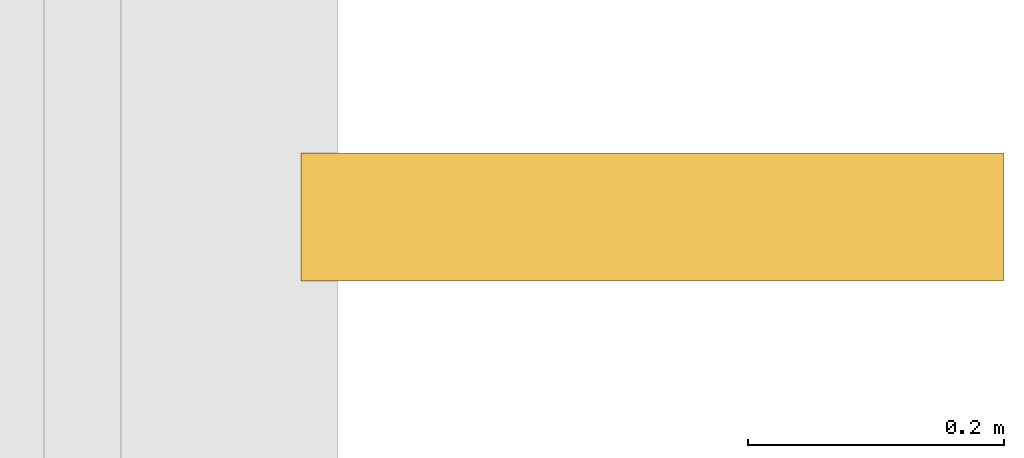
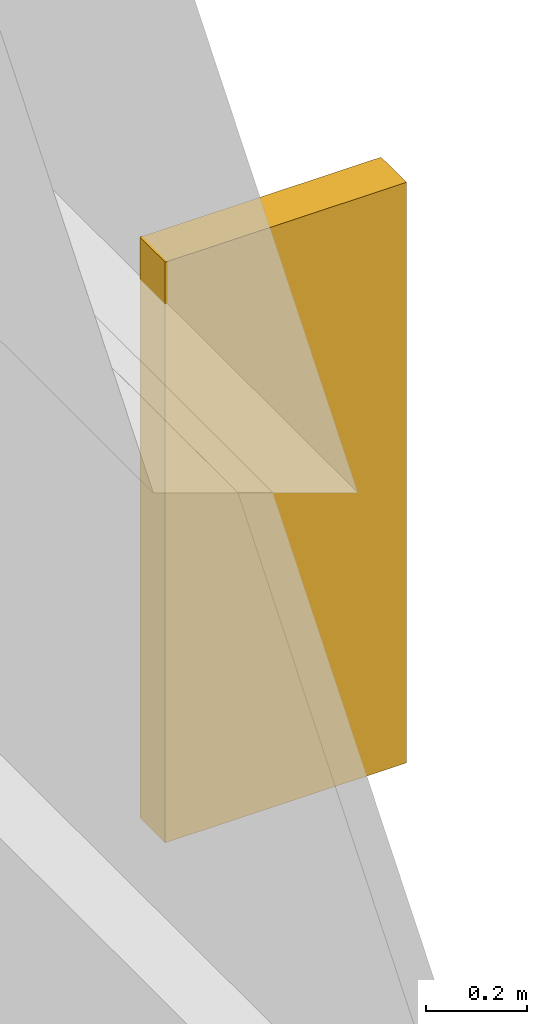
# One storey, part 108 of 108: 1 shading device.
"""IFC4 building model written with IfcOpenShell, lengths in metres."""

from ifc_helpers import new_model, si_unit, direction, frame, origin, origin_2d, place, context, subcontext, project, spatial, rectangle, extrude, material, type_object, element, save


model = new_model("IFC4")

# Units and contexts
model_context = context("Model", 3, precision=1e-05, world=origin(), true_north=direction((0.0, 1.0)))
body_context = subcontext(model_context, "Body", "Model", "MODEL_VIEW")
ifc_project = project(units=[si_unit("LENGTHUNIT", "METRE"), si_unit("AREAUNIT", "SQUARE_METRE"), si_unit("VOLUMEUNIT", "CUBIC_METRE"), si_unit("PLANEANGLEUNIT", "RADIAN"), si_unit("MASSUNIT", "GRAM", prefix="KILO"), si_unit("THERMODYNAMICTEMPERATUREUNIT", "KELVIN"), si_unit("POWERUNIT", "WATT")], contexts=[model_context])

# Site, building, storey
site_placement = place(None, origin())
site = spatial("IfcSite", under=ifc_project, at=site_placement, CompositionType="ELEMENT")
building_placement = place(site_placement, origin())
building = spatial("IfcBuilding", under=site, at=building_placement, Name="Kaldorven Railside Theatre", CompositionType="ELEMENT")
storey_placement = place(building_placement, frame((0.0, 0.0, 5.39990234375)))
storey = spatial("IfcBuildingStorey", under=building, at=storey_placement, Name="L01", CompositionType="ELEMENT", Elevation=5.39990234375)

# Shading device
ifc_material = material(Name="Anodised bronze aluminium", Category="aluminium")
shading_device_type = type_object("IfcShadingDeviceType", Name="SHD-FIN-02", PredefinedType="USERDEFINED", material=ifc_material)
shading_device_placement = place(storey_placement, frame((188.446044921875, 138.0, 1.7001953125), z_axis=(0.0, 0.0, 1.0), x_axis=(0.0, -1.0, 0.0)))
element("IfcShadingDevice", 1, at=shading_device_placement, inside=storey, type_object=shading_device_type, Name="Anodised-Bronze Brise-Soleil Fin FIN-052", ObjectType="SUNSHADE", PredefinedType="USERDEFINED", context=body_context, shape_type="SweptSolid", body=[
    extrude(rectangle(XDim=0.10009765625, YDim=0.550048828125, at=origin_2d()), origin(), (0.0, 0.0, 1.0), 1.39990234375),
])

save(model, "model.ifc")
